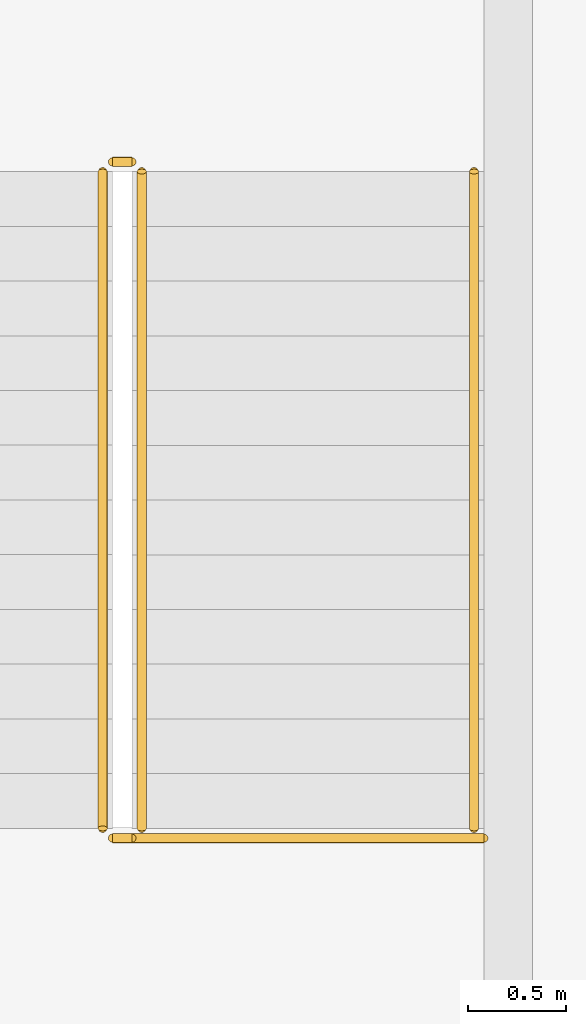
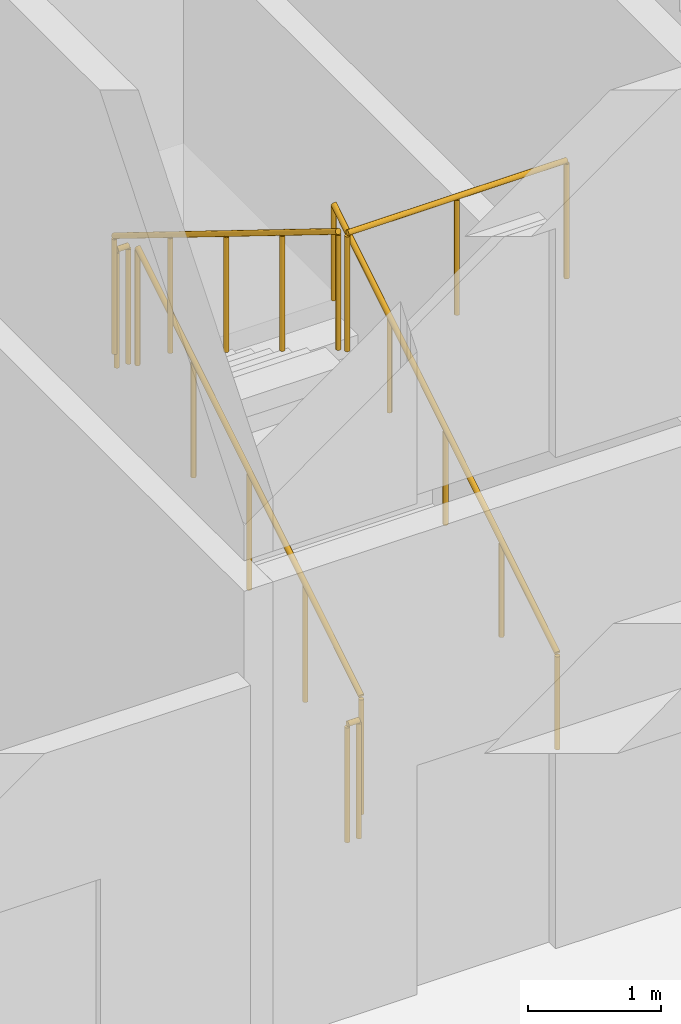
# One storey, part 35 of 35: 6 railings.
"""IFC4 building model written with IfcOpenShell, lengths in metres."""

from ifc_helpers import new_model, si_unit, direction, frame, origin, origin_2d, place, context, subcontext, project, spatial, circle, extrude, material, type_object, element, save


model = new_model("IFC4")

# Units and contexts
model_context = context("Model", 3, precision=1e-05, world=origin(), true_north=direction((0.0, 1.0)))
body_context = subcontext(model_context, "Body", "Model", "MODEL_VIEW")
ifc_project = project(units=[si_unit("LENGTHUNIT", "METRE"), si_unit("AREAUNIT", "SQUARE_METRE"), si_unit("VOLUMEUNIT", "CUBIC_METRE"), si_unit("PLANEANGLEUNIT", "RADIAN"), si_unit("MASSUNIT", "GRAM", prefix="KILO")], contexts=[model_context])

# Site, building, storey
site_placement = place(None, origin())
site = spatial("IfcSite", under=ifc_project, at=site_placement, CompositionType="ELEMENT")
building_placement = place(site_placement, origin())
building = spatial("IfcBuilding", under=site, at=building_placement, Name="Kilnfold Tower and Market Hall", CompositionType="ELEMENT")
storey_placement = place(building_placement, frame((0.0, 0.0, 22.5)))
storey = spatial("IfcBuildingStorey", under=building, at=storey_placement, Name="L04", CompositionType="ELEMENT", Elevation=22.5)

# Railings
ifc_material_1 = material(Name="Steel S355", Category="steel")
railing_type_1 = type_object("IfcRailingType", Name="HALL STAIR GUARD 1100", PredefinedType="GUARDRAIL", material=ifc_material_1)
railing_1_placement = place(storey_placement, frame((48.75, 46.699951171875, 0.173095703125)))
element("IfcRailing", 1, at=railing_1_placement, inside=storey, type_object=railing_type_1, Name="L04 MS6 stair guard 1", PredefinedType="GUARDRAIL", context=body_context, shape_type="SweptSolid", body=[
    extrude(circle(Radius=0.02392578125, at=origin_2d()), frame((0.0, 0.0, 1.076171875), z_axis=(0.0, 0.850623216509, 0.525775754039), x_axis=(-1.0, 0.0, 0.0)), (0.0, 0.0, 1.0), 3.9501953125),
    extrude(circle(Radius=0.02099609375, at=origin_2d()), origin(), (0.0, 0.0, 1.0), 1.052001953125),
    extrude(circle(Radius=0.02099609375, at=origin_2d()), frame((0.0, 0.840087890625, 0.519287109375)), (0.0, 0.0, 1.0), 1.052001953125),
    extrude(circle(Radius=0.02099609375, at=origin_2d()), frame((0.0, 1.68017578125, 1.03857421875)), (0.0, 0.0, 1.0), 1.052001953125),
    extrude(circle(Radius=0.02099609375, at=origin_2d()), frame((0.0, 2.52001953125, 1.5576171875)), (0.0, 0.0, 1.0), 1.052001953125),
    extrude(circle(Radius=0.02099609375, at=origin_2d()), frame((0.0, 3.360107421875, 2.076904296875)), (0.0, 0.0, 1.0), 1.052001953125),
])
railing_2_placement = place(storey_placement, frame((48.699951171875, 50.110107421875, 2.25)))
element("IfcRailing", 2, at=railing_2_placement, inside=storey, type_object=railing_type_1, Name="L04 MS6 stair guard 2", PredefinedType="GUARDRAIL", context=body_context, shape_type="SweptSolid", body=[
    extrude(circle(Radius=0.02392578125, at=origin_2d()), frame((0.0, 0.0, 1.076171875), z_axis=(-1.0, 0.0, 0.0), x_axis=(0.0, -1.0, 0.0)), (0.0, 0.0, 1.0), 0.099853515625),
    extrude(circle(Radius=0.02099609375, at=origin_2d()), origin(), (0.0, 0.0, 1.0), 1.052001953125),
    extrude(circle(Radius=0.02099609375, at=origin_2d()), frame((-0.099853515625, 0.0, 0.0)), (0.0, 0.0, 1.0), 1.052001953125),
])
railing_3_placement = place(storey_placement, frame((48.550048828125, 50.06005859375, 2.423095703125)))
element("IfcRailing", 3, at=railing_3_placement, inside=storey, type_object=railing_type_1, Name="L04 MS6 stair guard 3", PredefinedType="GUARDRAIL", context=body_context, shape_type="SweptSolid", body=[
    extrude(circle(Radius=0.02392578125, at=origin_2d()), frame((0.0, 0.0, 1.076171875), z_axis=(0.0, -0.850623216509, 0.525775754039), x_axis=(1.0, 0.0, 0.0)), (0.0, 0.0, 1.0), 3.9501953125),
    extrude(circle(Radius=0.02099609375, at=origin_2d()), origin(), (0.0, 0.0, 1.0), 1.052001953125),
    extrude(circle(Radius=0.02099609375, at=origin_2d()), frame((0.0, -0.840087890625, 0.519287109375)), (0.0, 0.0, 1.0), 1.052001953125),
    extrude(circle(Radius=0.02099609375, at=origin_2d()), frame((0.0, -1.68017578125, 1.03857421875)), (0.0, 0.0, 1.0), 1.052001953125),
    extrude(circle(Radius=0.02099609375, at=origin_2d()), frame((0.0, -2.52001953125, 1.5576171875)), (0.0, 0.0, 1.0), 1.052001953125),
    extrude(circle(Radius=0.02099609375, at=origin_2d()), frame((0.0, -3.360107421875, 2.076904296875)), (0.0, 0.0, 1.0), 1.052001953125),
])
railing_4_placement = place(storey_placement, frame((48.699951171875, 46.64990234375, 0.0)))
element("IfcRailing", 4, at=railing_4_placement, inside=storey, type_object=railing_type_1, Name="L04 MS6 stair guard 4", PredefinedType="GUARDRAIL", context=body_context, shape_type="SweptSolid", body=[
    extrude(circle(Radius=0.02392578125, at=origin_2d()), frame((0.0, 0.0, 1.076171875), z_axis=(-1.0, 0.0, 0.0), x_axis=(0.0, -1.0, 0.0)), (0.0, 0.0, 1.0), 0.099853515625),
    extrude(circle(Radius=0.02099609375, at=origin_2d()), origin(), (0.0, 0.0, 1.0), 1.052001953125),
    extrude(circle(Radius=0.02099609375, at=origin_2d()), frame((-0.099853515625, 0.0, 0.0)), (0.0, 0.0, 1.0), 1.052001953125),
])
railing_5_placement = place(storey_placement, frame((50.5, 46.64990234375, 4.5)))
element("IfcRailing", 5, at=railing_5_placement, inside=storey, type_object=railing_type_1, Name="L04 MS6 top well guard 1", PredefinedType="GUARDRAIL", context=body_context, shape_type="SweptSolid", body=[
    extrude(circle(Radius=0.02392578125, at=origin_2d()), frame((0.0, 0.0, 1.076171875), z_axis=(-1.0, 0.0, 0.0), x_axis=(0.0, -1.0, 0.0)), (0.0, 0.0, 1.0), 1.89990234375),
    extrude(circle(Radius=0.02099609375, at=origin_2d()), origin(), (0.0, 0.0, 1.0), 1.052001953125),
    extrude(circle(Radius=0.02099609375, at=origin_2d()), frame((-0.949951171875, 0.0, 0.0)), (0.0, 0.0, 1.0), 1.052001953125),
    extrude(circle(Radius=0.02099609375, at=origin_2d()), frame((-1.89990234375, 0.0, 0.0)), (0.0, 0.0, 1.0), 1.052001953125),
])
ifc_material_2 = material(Name="Steel S355", Category="steel")
railing_type_2 = type_object("IfcRailingType", Name="HALL STAIR HANDRAIL", PredefinedType="HANDRAIL", material=ifc_material_2)
railing_6_placement = place(storey_placement, frame((50.449951171875, 46.699951171875, 0.173095703125)))
element("IfcRailing", 6, at=railing_6_placement, inside=storey, type_object=railing_type_2, Name="L04 MS6 stair handrail 1", PredefinedType="HANDRAIL", context=body_context, shape_type="SweptSolid", body=[
    extrude(circle(Radius=0.02392578125, at=origin_2d()), frame((0.0, 0.0, 0.8759765625), z_axis=(0.0, 0.850623216509, 0.525775754039), x_axis=(-1.0, 0.0, 0.0)), (0.0, 0.0, 1.0), 3.9501953125),
    extrude(circle(Radius=0.02099609375, at=origin_2d()), origin(), (0.0, 0.0, 1.0), 0.851806640625),
    extrude(circle(Radius=0.02099609375, at=origin_2d()), frame((0.0, 0.840087890625, 0.519287109375)), (0.0, 0.0, 1.0), 0.851806640625),
    extrude(circle(Radius=0.02099609375, at=origin_2d()), frame((0.0, 1.68017578125, 1.03857421875)), (0.0, 0.0, 1.0), 0.851806640625),
    extrude(circle(Radius=0.02099609375, at=origin_2d()), frame((0.0, 2.52001953125, 1.5576171875)), (0.0, 0.0, 1.0), 0.851806640625),
    extrude(circle(Radius=0.02099609375, at=origin_2d()), frame((0.0, 3.360107421875, 2.076904296875)), (0.0, 0.0, 1.0), 0.851806640625),
])

save(model, "model.ifc")
